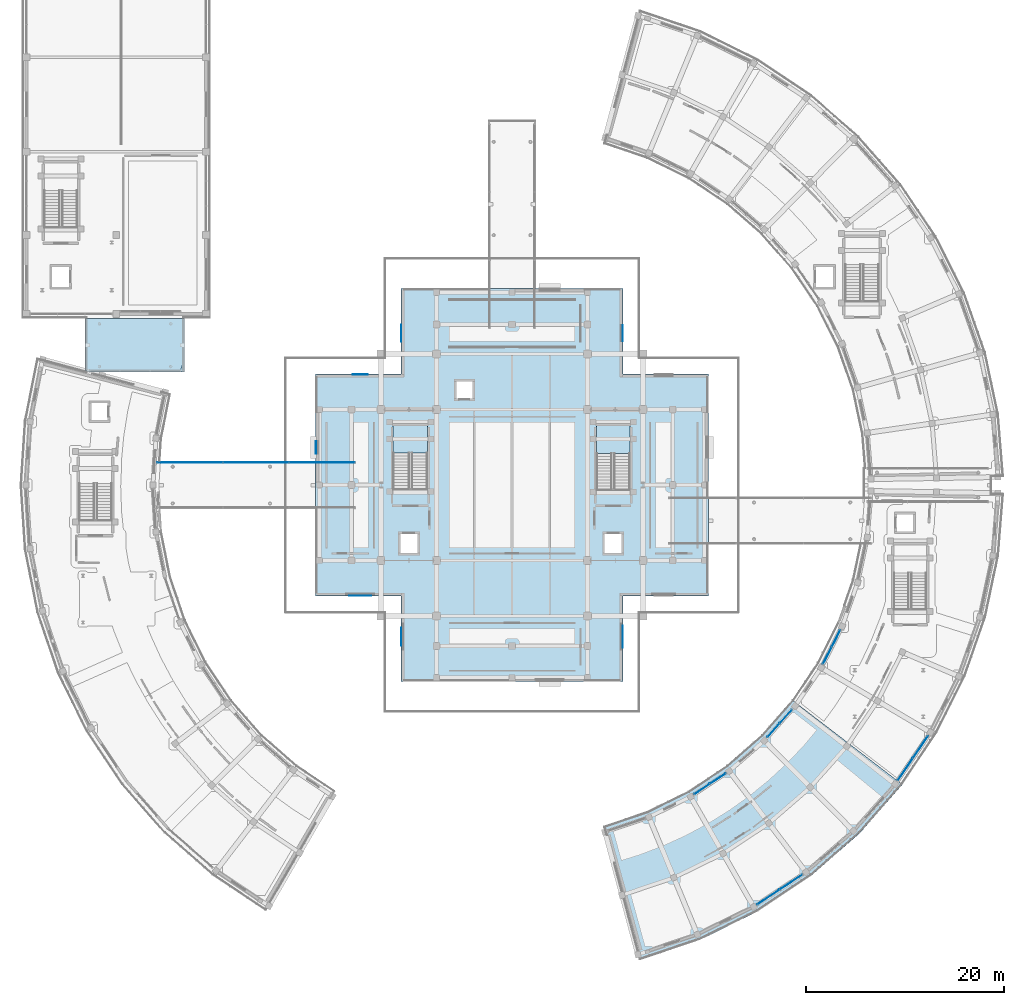
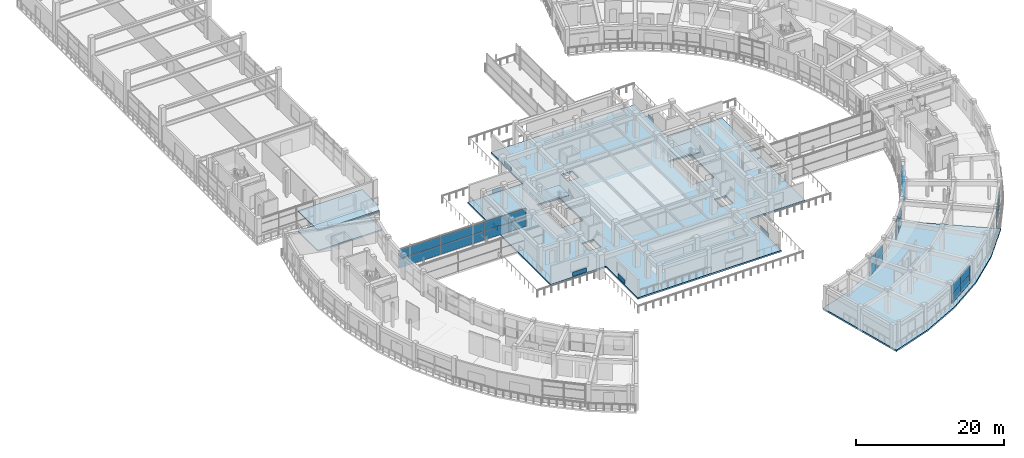
# One storey, part 39 of 72: 33 plates, 6 slabs, 8 elements without a shape of their own.
"""IFC4 building model written with IfcOpenShell, lengths in metres."""

from ifc_helpers import new_model, si_unit, direction, frame, origin, origin_2d, place, context, subcontext, project, spatial, polyline, rectangle, outline, extrude, material, layer, layer_set, type_object, element, aggregate, save


model = new_model("IFC4")

# Units and contexts
model_context = context("Model", 3, precision=1e-05, world=origin(), true_north=direction((0.0, 1.0)))
body_context = subcontext(model_context, "Body", "Model", "MODEL_VIEW")
ifc_project = project(units=[si_unit("LENGTHUNIT", "METRE"), si_unit("AREAUNIT", "SQUARE_METRE"), si_unit("VOLUMEUNIT", "CUBIC_METRE"), si_unit("PLANEANGLEUNIT", "RADIAN"), si_unit("MASSUNIT", "GRAM", prefix="KILO")], contexts=[model_context])

# Site, building, storey
site_placement = place(None, origin())
site = spatial("IfcSite", under=ifc_project, at=site_placement, CompositionType="ELEMENT")
building_placement = place(site_placement, origin())
building = spatial("IfcBuilding", under=site, at=building_placement, Name="Saryqyr Civic Hall", CompositionType="ELEMENT")
storey_placement = place(building_placement, frame((0.0, 0.0, 17.25)))
storey = spatial("IfcBuildingStorey", under=building, at=storey_placement, Name="L04", CompositionType="ELEMENT", Elevation=17.25)

# Curtain wall, plates
ifc_material_1 = material(Name="Anodised aluminium and triple low-E glass", Category="aluminium")
curtain_wall_type_1 = type_object("IfcCurtainWallType", Name="ENV-CW-STD-16", PredefinedType="NOTDEFINED", material=ifc_material_1)
curtain_wall_1_placement = place(storey_placement, origin())
curtain_wall_1 = element("IfcCurtainWall", 1, at=curtain_wall_1_placement, inside=storey, type_object=curtain_wall_type_1, Name="Curtain wall V5-CWO-L04-02", PredefinedType="NOTDEFINED")
ifc_material_2 = material(Name="Triple low-E insulated glazing", Category="glass")
ifc_layer_1 = layer(ifc_material_2, 0.053955078125, Name="Triple low-E insulated glazing")
ifc_layer_set_1 = layer_set([ifc_layer_1], Name="Triple low-E insulated glazing")
plate_type_1 = type_object("IfcPlateType", Name="ENV-CW-PNL-38", PredefinedType="CURTAIN_PANEL", material=ifc_layer_set_1)
plate_1_placement = place(storey_placement, frame((85.134033203125, 43.9833984375, 0.06005859375), z_axis=(0.0, 0.0, 1.0), x_axis=(-0.833756980548, -0.552131594266, 0.0)))
plate_1 = element("IfcPlate", 2, at=plate_1_placement, type_object=plate_type_1, Name="CW-16 panel 1.1", PredefinedType="CURTAIN_PANEL", context=body_context, shape_type="SweptSolid", body=[
    extrude(rectangle(XDim=2.66650390625, YDim=0.053955078125, at=origin_2d()), origin(), (0.0, 0.0, 1.0), 1.452880859375),
])
plate_2_placement = place(storey_placement, frame((85.134033203125, 43.9833984375, 1.5732421875), z_axis=(0.0, 0.0, 1.0), x_axis=(-0.833756980548, -0.552131594266, 0.0)))
plate_2 = element("IfcPlate", 3, at=plate_2_placement, type_object=plate_type_1, Name="CW-16 panel 1.2", PredefinedType="CURTAIN_PANEL", context=body_context, shape_type="SweptSolid", body=[
    extrude(rectangle(XDim=2.66650390625, YDim=0.053955078125, at=origin_2d()), origin(), (0.0, 0.0, 1.0), 1.451904296875),
])
plate_3_placement = place(storey_placement, frame((82.86083984375, 42.47802734375, 0.06005859375), z_axis=(0.0, 0.0, 1.0), x_axis=(-0.833756980548, -0.552131594266, 0.0)))
plate_3 = element("IfcPlate", 4, at=plate_3_placement, type_object=plate_type_1, Name="CW-16 panel 2.1", PredefinedType="CURTAIN_PANEL", context=body_context, shape_type="SweptSolid", body=[
    extrude(rectangle(XDim=2.66650390625, YDim=0.053955078125, at=origin_2d()), origin(), (0.0, 0.0, 1.0), 1.452880859375),
])
plate_4_placement = place(storey_placement, frame((82.86083984375, 42.47802734375, 1.5732421875), z_axis=(0.0, 0.0, 1.0), x_axis=(-0.833756980548, -0.552131594266, 0.0)))
plate_4 = element("IfcPlate", 5, at=plate_4_placement, type_object=plate_type_1, Name="CW-16 panel 2.2", PredefinedType="CURTAIN_PANEL", context=body_context, shape_type="SweptSolid", body=[
    extrude(rectangle(XDim=2.66650390625, YDim=0.053955078125, at=origin_2d()), origin(), (0.0, 0.0, 1.0), 1.451904296875),
])
aggregate(curtain_wall_1, [plate_1, plate_2, plate_3, plate_4])

curtain_wall_type_2 = type_object("IfcCurtainWallType", Name="ENV-CW-STD-17", PredefinedType="NOTDEFINED", material=ifc_material_1)
curtain_wall_2_placement = place(storey_placement, origin())
curtain_wall_2 = element("IfcCurtainWall", 6, at=curtain_wall_2_placement, inside=storey, type_object=curtain_wall_type_2, Name="Curtain wall V5-CWI-L04-02", PredefinedType="NOTDEFINED")
plate_5_placement = place(storey_placement, frame((76.15283203125, 53.356201171875, 0.06005859375), z_axis=(0.0, 0.0, 1.0), x_axis=(0.833756291383, 0.552132634953, 0.0)))
plate_5 = element("IfcPlate", 7, at=plate_5_placement, type_object=plate_type_1, Name="CW-17 panel 1.1", PredefinedType="CURTAIN_PANEL", context=body_context, shape_type="SweptSolid", body=[
    extrude(rectangle(XDim=1.83984375, YDim=0.053955078125, at=origin_2d()), origin(), (0.0, 0.0, 1.0), 1.452880859375),
])
plate_6_placement = place(storey_placement, frame((76.15283203125, 53.356201171875, 1.5732421875), z_axis=(0.0, 0.0, 1.0), x_axis=(0.833756291383, 0.552132634953, 0.0)))
plate_6 = element("IfcPlate", 8, at=plate_6_placement, type_object=plate_type_1, Name="CW-17 panel 1.2", PredefinedType="CURTAIN_PANEL", context=body_context, shape_type="SweptSolid", body=[
    extrude(rectangle(XDim=1.83984375, YDim=0.053955078125, at=origin_2d()), origin(), (0.0, 0.0, 1.0), 1.451904296875),
])
plate_7_placement = place(storey_placement, frame((77.737060546875, 54.405029296875, 0.06005859375), z_axis=(0.0, 0.0, 1.0), x_axis=(0.833756291383, 0.552132634953, 0.0)))
plate_7 = element("IfcPlate", 9, at=plate_7_placement, type_object=plate_type_1, Name="CW-17 panel 2.1", PredefinedType="CURTAIN_PANEL", context=body_context, shape_type="SweptSolid", body=[
    extrude(rectangle(XDim=1.83984375, YDim=0.053955078125, at=origin_2d()), origin(), (0.0, 0.0, 1.0), 1.452880859375),
])
plate_8_placement = place(storey_placement, frame((77.737060546875, 54.405029296875, 1.5732421875), z_axis=(0.0, 0.0, 1.0), x_axis=(0.833756291383, 0.552132634953, 0.0)))
plate_8 = element("IfcPlate", 10, at=plate_8_placement, type_object=plate_type_1, Name="CW-17 panel 2.2", PredefinedType="CURTAIN_PANEL", context=body_context, shape_type="SweptSolid", body=[
    extrude(rectangle(XDim=1.83984375, YDim=0.053955078125, at=origin_2d()), origin(), (0.0, 0.0, 1.0), 1.451904296875),
])
aggregate(curtain_wall_2, [plate_5, plate_6, plate_7, plate_8])

curtain_wall_type_3 = type_object("IfcCurtainWallType", Name="ENV-CW-STD-20", PredefinedType="NOTDEFINED", material=ifc_material_1)
curtain_wall_3_placement = place(storey_placement, origin())
curtain_wall_3 = element("IfcCurtainWall", 11, at=curtain_wall_3_placement, inside=storey, type_object=curtain_wall_type_3, Name="Curtain wall V5-CWI-L04-04", PredefinedType="NOTDEFINED")
plate_9_placement = place(storey_placement, frame((83.365478515625, 59.28759765625, 0.06005859375), z_axis=(0.0, 0.0, 1.0), x_axis=(0.664934070862, 0.7469020561, 0.0)))
plate_9 = element("IfcPlate", 12, at=plate_9_placement, type_object=plate_type_1, Name="CW-20 panel 1.1", PredefinedType="CURTAIN_PANEL", context=body_context, shape_type="SweptSolid", body=[
    extrude(rectangle(XDim=1.79248046875, YDim=0.053955078125, at=origin_2d()), origin(), (0.0, 0.0, 1.0), 1.452880859375),
])
plate_10_placement = place(storey_placement, frame((83.365478515625, 59.28759765625, 1.5732421875), z_axis=(0.0, 0.0, 1.0), x_axis=(0.664934070862, 0.7469020561, 0.0)))
plate_10 = element("IfcPlate", 13, at=plate_10_placement, type_object=plate_type_1, Name="CW-20 panel 1.2", PredefinedType="CURTAIN_PANEL", context=body_context, shape_type="SweptSolid", body=[
    extrude(rectangle(XDim=1.79248046875, YDim=0.053955078125, at=origin_2d()), origin(), (0.0, 0.0, 1.0), 1.451904296875),
])
plate_11_placement = place(storey_placement, frame((84.59716796875, 60.67138671875, 0.06005859375), z_axis=(0.0, 0.0, 1.0), x_axis=(0.664934070862, 0.7469020561, 0.0)))
plate_11 = element("IfcPlate", 14, at=plate_11_placement, type_object=plate_type_1, Name="CW-20 panel 2.1", PredefinedType="CURTAIN_PANEL", context=body_context, shape_type="SweptSolid", body=[
    extrude(rectangle(XDim=1.79248046875, YDim=0.053955078125, at=origin_2d()), origin(), (0.0, 0.0, 1.0), 1.452880859375),
])
plate_12_placement = place(storey_placement, frame((84.59716796875, 60.67138671875, 1.5732421875), z_axis=(0.0, 0.0, 1.0), x_axis=(0.664934070862, 0.7469020561, 0.0)))
plate_12 = element("IfcPlate", 15, at=plate_12_placement, type_object=plate_type_1, Name="CW-20 panel 2.2", PredefinedType="CURTAIN_PANEL", context=body_context, shape_type="SweptSolid", body=[
    extrude(rectangle(XDim=1.79248046875, YDim=0.053955078125, at=origin_2d()), origin(), (0.0, 0.0, 1.0), 1.451904296875),
])
aggregate(curtain_wall_3, [plate_9, plate_10, plate_11, plate_12])

curtain_wall_4_placement = place(storey_placement, origin())
curtain_wall_4 = element("IfcCurtainWall", 16, at=curtain_wall_4_placement, inside=storey, type_object=curtain_wall_type_1, Name="Curtain wall V5-CWO-L04-05", PredefinedType="NOTDEFINED")
plate_13_placement = place(storey_placement, frame((98.174072265625, 57.58935546875, 0.06005859375), z_axis=(0.0, 0.0, 1.0), x_axis=(-0.563117564, -0.826376796089, 0.0)))
plate_13 = element("IfcPlate", 17, at=plate_13_placement, type_object=plate_type_1, Name="CW-16 panel 1.1", PredefinedType="CURTAIN_PANEL", context=body_context, shape_type="SweptSolid", body=[
    extrude(rectangle(XDim=2.662841796875, YDim=0.053955078125, at=origin_2d()), origin(), (0.0, 0.0, 1.0), 1.452880859375),
])
plate_14_placement = place(storey_placement, frame((98.174072265625, 57.58935546875, 1.5732421875), z_axis=(0.0, 0.0, 1.0), x_axis=(-0.563117564, -0.826376796089, 0.0)))
plate_14 = element("IfcPlate", 18, at=plate_14_placement, type_object=plate_type_1, Name="CW-16 panel 1.2", PredefinedType="CURTAIN_PANEL", context=body_context, shape_type="SweptSolid", body=[
    extrude(rectangle(XDim=2.662841796875, YDim=0.053955078125, at=origin_2d()), origin(), (0.0, 0.0, 1.0), 1.451904296875),
])
plate_15_placement = place(storey_placement, frame((96.640869140625, 55.339111328125, 0.06005859375), z_axis=(0.0, 0.0, 1.0), x_axis=(-0.563117564, -0.826376796089, 0.0)))
plate_15 = element("IfcPlate", 19, at=plate_15_placement, type_object=plate_type_1, Name="CW-16 panel 2.1", PredefinedType="CURTAIN_PANEL", context=body_context, shape_type="SweptSolid", body=[
    extrude(rectangle(XDim=2.662841796875, YDim=0.053955078125, at=origin_2d()), origin(), (0.0, 0.0, 1.0), 1.452880859375),
])
plate_16_placement = place(storey_placement, frame((96.640869140625, 55.339111328125, 1.5732421875), z_axis=(0.0, 0.0, 1.0), x_axis=(-0.563117564, -0.826376796089, 0.0)))
plate_16 = element("IfcPlate", 20, at=plate_16_placement, type_object=plate_type_1, Name="CW-16 panel 2.2", PredefinedType="CURTAIN_PANEL", context=body_context, shape_type="SweptSolid", body=[
    extrude(rectangle(XDim=2.662841796875, YDim=0.053955078125, at=origin_2d()), origin(), (0.0, 0.0, 1.0), 1.451904296875),
])
aggregate(curtain_wall_4, [plate_13, plate_14, plate_15, plate_16])

curtain_wall_5_placement = place(storey_placement, origin())
curtain_wall_5 = element("IfcCurtainWall", 21, at=curtain_wall_5_placement, inside=storey, type_object=curtain_wall_type_2, Name="Curtain wall V5-CWI-L04-06", PredefinedType="NOTDEFINED")
plate_17_placement = place(storey_placement, frame((88.78955078125, 66.81494140625, 0.06005859375), z_axis=(0.0, 0.0, 1.0), x_axis=(0.451909750219, 0.892063662334, 0.0)))
plate_17 = element("IfcPlate", 22, at=plate_17_placement, type_object=plate_type_1, Name="CW-17 panel 1.1", PredefinedType="CURTAIN_PANEL", context=body_context, shape_type="SweptSolid", body=[
    extrude(rectangle(XDim=1.866455078125, YDim=0.053955078125, at=origin_2d()), origin(), (0.0, 0.0, 1.0), 1.452880859375),
])
plate_18_placement = place(storey_placement, frame((88.78955078125, 66.81494140625, 1.5732421875), z_axis=(0.0, 0.0, 1.0), x_axis=(0.451909750219, 0.892063662334, 0.0)))
plate_18 = element("IfcPlate", 23, at=plate_18_placement, type_object=plate_type_1, Name="CW-17 panel 1.2", PredefinedType="CURTAIN_PANEL", context=body_context, shape_type="SweptSolid", body=[
    extrude(rectangle(XDim=1.866455078125, YDim=0.053955078125, at=origin_2d()), origin(), (0.0, 0.0, 1.0), 1.451904296875),
])
plate_19_placement = place(storey_placement, frame((89.66015625, 68.533447265625, 0.06005859375), z_axis=(0.0, 0.0, 1.0), x_axis=(0.451909750219, 0.892063662334, 0.0)))
plate_19 = element("IfcPlate", 24, at=plate_19_placement, type_object=plate_type_1, Name="CW-17 panel 2.1", PredefinedType="CURTAIN_PANEL", context=body_context, shape_type="SweptSolid", body=[
    extrude(rectangle(XDim=1.866455078125, YDim=0.053955078125, at=origin_2d()), origin(), (0.0, 0.0, 1.0), 1.452880859375),
])
plate_20_placement = place(storey_placement, frame((89.66015625, 68.533447265625, 1.5732421875), z_axis=(0.0, 0.0, 1.0), x_axis=(0.451909750219, 0.892063662334, 0.0)))
plate_20 = element("IfcPlate", 25, at=plate_20_placement, type_object=plate_type_1, Name="CW-17 panel 2.2", PredefinedType="CURTAIN_PANEL", context=body_context, shape_type="SweptSolid", body=[
    extrude(rectangle(XDim=1.866455078125, YDim=0.053955078125, at=origin_2d()), origin(), (0.0, 0.0, 1.0), 1.451904296875),
])
aggregate(curtain_wall_5, [plate_17, plate_18, plate_19, plate_20])

curtain_wall_type_4 = type_object("IfcCurtainWallType", Name="ENV-CW-STD-86", PredefinedType="NOTDEFINED", material=ifc_material_1)
curtain_wall_6_placement = place(storey_placement, origin())
curtain_wall_6 = element("IfcCurtainWall", 26, at=curtain_wall_6_placement, inside=storey, type_object=curtain_wall_type_4, Name="Curtain wall BR-CW-CW2-L04", PredefinedType="NOTDEFINED")
plate_21_placement = place(storey_placement, frame((24.54833984375, 86.280029296875, 0.06005859375), z_axis=(0.0, 0.0, 1.0), x_axis=(1.0, 0.0, 0.0)))
plate_21 = element("IfcPlate", 27, at=plate_21_placement, type_object=plate_type_1, Name="CW-86 panel 1.1", PredefinedType="CURTAIN_PANEL", context=body_context, shape_type="SweptSolid", body=[
    extrude(rectangle(XDim=6.57666015625, YDim=0.053955078125, at=origin_2d()), origin(), (0.0, 0.0, 1.0), 1.452880859375),
])
plate_22_placement = place(storey_placement, frame((24.54833984375, 86.280029296875, 1.5732421875), z_axis=(0.0, 0.0, 1.0), x_axis=(1.0, 0.0, 0.0)))
plate_22 = element("IfcPlate", 28, at=plate_22_placement, type_object=plate_type_1, Name="CW-86 panel 1.2", PredefinedType="CURTAIN_PANEL", context=body_context, shape_type="SweptSolid", body=[
    extrude(rectangle(XDim=6.57666015625, YDim=0.053955078125, at=origin_2d()), origin(), (0.0, 0.0, 1.0), 1.451904296875),
])
plate_23_placement = place(storey_placement, frame((31.199951171875, 86.280029296875, 0.06005859375), z_axis=(0.0, 0.0, 1.0), x_axis=(1.0, 0.0, 0.0)))
plate_23 = element("IfcPlate", 29, at=plate_23_placement, type_object=plate_type_1, Name="CW-86 panel 2.1", PredefinedType="CURTAIN_PANEL", context=body_context, shape_type="SweptSolid", body=[
    extrude(rectangle(XDim=6.606689453125, YDim=0.053955078125, at=origin_2d()), origin(), (0.0, 0.0, 1.0), 1.452880859375),
])
plate_24_placement = place(storey_placement, frame((31.199951171875, 86.280029296875, 1.5732421875), z_axis=(0.0, 0.0, 1.0), x_axis=(1.0, 0.0, 0.0)))
plate_24 = element("IfcPlate", 30, at=plate_24_placement, type_object=plate_type_1, Name="CW-86 panel 2.2", PredefinedType="CURTAIN_PANEL", context=body_context, shape_type="SweptSolid", body=[
    extrude(rectangle(XDim=6.606689453125, YDim=0.053955078125, at=origin_2d()), origin(), (0.0, 0.0, 1.0), 1.451904296875),
])
plate_25_placement = place(storey_placement, frame((37.8515625, 86.280029296875, 0.06005859375), z_axis=(0.0, 0.0, 1.0), x_axis=(1.0, 0.0, 0.0)))
plate_25 = element("IfcPlate", 31, at=plate_25_placement, type_object=plate_type_1, Name="CW-86 panel 3.1", PredefinedType="CURTAIN_PANEL", context=body_context, shape_type="SweptSolid", body=[
    extrude(rectangle(XDim=6.57666015625, YDim=0.053955078125, at=origin_2d()), origin(), (0.0, 0.0, 1.0), 1.452880859375),
])
plate_26_placement = place(storey_placement, frame((37.8515625, 86.280029296875, 1.5732421875), z_axis=(0.0, 0.0, 1.0), x_axis=(1.0, 0.0, 0.0)))
plate_26 = element("IfcPlate", 32, at=plate_26_placement, type_object=plate_type_1, Name="CW-86 panel 3.2", PredefinedType="CURTAIN_PANEL", context=body_context, shape_type="SweptSolid", body=[
    extrude(rectangle(XDim=6.57666015625, YDim=0.053955078125, at=origin_2d()), origin(), (0.0, 0.0, 1.0), 1.451904296875),
])
aggregate(curtain_wall_6, [plate_21, plate_22, plate_23, plate_24, plate_25, plate_26])

# Plates
ifc_material_3 = material(Name="Warm brushed brass-anodised aluminium", Category="aluminium")
ifc_layer_2 = layer(ifc_material_3, 0.008056640625, Name="Warm brushed brass-anodised aluminium")
ifc_layer_set_2 = layer_set([ifc_layer_2], Name="Warm brushed brass-anodised aluminium")
plate_type_2 = type_object("IfcPlateType", Name="ENV-PLT-BRASS-1", PredefinedType="SHEET", material=ifc_layer_set_2)
plate_27_placement = place(storey_placement, frame((45.85302734375, 68.699951171875, 0.080078125), z_axis=(0.0, 0.0, 1.0), x_axis=(0.0, 1.0, 0.0)))
element("IfcPlate", 33, at=plate_27_placement, inside=storey, type_object=plate_type_2, Name="Warm brass spandrel cladding sheet L04-00", PredefinedType="SHEET", context=body_context, shape_type="SweptSolid", body=[
    extrude(rectangle(XDim=1.800048828125, YDim=0.008056640625, at=origin_2d()), origin(), (0.0, 0.0, 1.0), 0.679931640625),
])
plate_28_placement = place(storey_placement, frame((41.699951171875, 95.14697265625, 0.080078125), z_axis=(0.0, 0.0, 1.0), x_axis=(1.0, 0.0, 0.0)))
element("IfcPlate", 34, at=plate_28_placement, inside=storey, type_object=plate_type_2, Name="Warm brass spandrel cladding sheet L04-03", PredefinedType="SHEET", context=body_context, shape_type="SweptSolid", body=[
    extrude(rectangle(XDim=1.5, YDim=0.008056640625, at=origin_2d()), origin(), (0.0, 0.0, 1.0), 0.679931640625),
])
plate_29_placement = place(storey_placement, frame((68.14697265625, 99.300048828125, 0.080078125), z_axis=(0.0, 0.0, 1.0), x_axis=(0.0, -1.0, 0.0)))
element("IfcPlate", 35, at=plate_29_placement, inside=storey, type_object=plate_type_2, Name="Warm brass spandrel cladding sheet L04-06", PredefinedType="SHEET", context=body_context, shape_type="SweptSolid", body=[
    extrude(rectangle(XDim=1.60009765625, YDim=0.008056640625, at=origin_2d()), origin(), (0.0, 0.0, 1.0), 0.679931640625),
])
ifc_layer_3 = layer(ifc_material_3, 0.02001953125, Name="Warm brushed brass-anodised aluminium")
ifc_layer_set_3 = layer_set([ifc_layer_3], Name="Warm brushed brass-anodised aluminium")
plate_type_3 = type_object("IfcPlateType", Name="ENV-PLT-BRASS-2", PredefinedType="SHEET", material=ifc_layer_set_3)
plate_30_placement = place(storey_placement, frame((41.699951171875, 72.846923828125, 0.080078125), z_axis=(0.0, 0.0, 1.0), x_axis=(-1.0, 0.0, 0.0)))
element("IfcPlate", 36, at=plate_30_placement, inside=storey, type_object=plate_type_3, Name="Warm brass spandrel cladding sheet L04-01", PredefinedType="SHEET", context=body_context, shape_type="SweptSolid", body=[
    extrude(rectangle(XDim=2.199951171875, YDim=0.02001953125, at=origin_2d()), origin(), (0.0, 0.0, 1.0), 0.679931640625),
])
plate_31_placement = place(storey_placement, frame((45.846923828125, 99.300048828125, 0.080078125), z_axis=(0.0, 0.0, 1.0), x_axis=(0.0, 1.0, 0.0)))
element("IfcPlate", 37, at=plate_31_placement, inside=storey, type_object=plate_type_3, Name="Warm brass spandrel cladding sheet L04-04", PredefinedType="SHEET", context=body_context, shape_type="SweptSolid", body=[
    extrude(rectangle(XDim=1.75, YDim=0.02001953125, at=origin_2d()), origin(), (0.0, 0.0, 1.0), 0.679931640625),
])
plate_32_placement = place(storey_placement, frame((68.153076171875, 68.699951171875, 0.080078125), z_axis=(0.0, 0.0, 1.0), x_axis=(0.0, -1.0, 0.0)))
element("IfcPlate", 38, at=plate_32_placement, inside=storey, type_object=plate_type_3, Name="Warm brass spandrel cladding sheet L04-10", PredefinedType="SHEET", context=body_context, shape_type="SweptSolid", body=[
    extrude(rectangle(XDim=2.199951171875, YDim=0.02001953125, at=origin_2d()), origin(), (0.0, 0.0, 1.0), 0.679931640625),
])
ifc_layer_4 = layer(ifc_material_3, 0.031982421875, Name="Warm brushed brass-anodised aluminium")
ifc_layer_set_4 = layer_set([ifc_layer_4], Name="Warm brushed brass-anodised aluminium")
plate_type_4 = type_object("IfcPlateType", Name="ENV-PLT-BRASS-3", PredefinedType="SHEET", material=ifc_layer_set_4)
plate_33_placement = place(storey_placement, frame((37.240966796875, 87.800048828125, 0.080078125), z_axis=(0.0, 0.0, 1.0), x_axis=(0.0, 1.0, 0.0)))
element("IfcPlate", 39, at=plate_33_placement, inside=storey, type_object=plate_type_4, Name="Warm brass spandrel cladding sheet L04-02", PredefinedType="SHEET", context=body_context, shape_type="SweptSolid", body=[
    extrude(rectangle(XDim=1.25, YDim=0.031982421875, at=origin_2d()), origin(), (0.0, 0.0, 1.0), 0.679931640625),
])

# Slabs
ifc_material_4 = material(Name="Concrete C35/45", Category="concrete")
ifc_layer_5 = layer(ifc_material_4, 0.22998046875, Name="Concrete C35/45")
ifc_layer_set_5 = layer_set([ifc_layer_5], Name="Concrete C35/45")
slab_type_1 = type_object("IfcSlabType", Name="STR-SLB-FLR-230", PredefinedType="FLOOR", material=ifc_layer_set_5)
slab_1_placement = place(storey_placement, frame((0.0, 0.0, -0.22998046875)))
element("IfcSlab", 40, at=slab_1_placement, inside=storey, type_object=slab_type_1, Name="Slab SLB-BR-NW-L04", PredefinedType="FLOOR", context=body_context, shape_type="SweptSolid", body=[
    extrude(outline(polyline([(24.0, 95.39990234375), (14.45458984375, 95.39990234375), (14.0, 95.521728515625), (14.0, 100.800048828125), (24.0, 100.800048828125), (24.0, 95.39990234375)])), origin(), (0.0, 0.0, 1.0), 0.22998046875),
])
ifc_layer_6 = layer(ifc_material_4, 0.260009765625, Name="Concrete C35/45")
ifc_layer_set_6 = layer_set([ifc_layer_6], Name="Concrete C35/45")
slab_type_2 = type_object("IfcSlabType", Name="STR-SLB-FLR-260", PredefinedType="FLOOR", material=ifc_layer_set_6)
slab_2_placement = place(storey_placement, frame((0.0, 0.0, -0.260009765625)))
element("IfcSlab", 41, at=slab_2_placement, inside=storey, type_object=slab_type_2, Name="Slab SLB-V1-L04", PredefinedType="FLOOR", context=body_context, shape_type="SweptSolid", body=[
    extrude(outline(polyline([(45.800048828125, 72.800048828125), (37.199951171875, 72.800048828125), (37.199951171875, 95.199951171875), (45.800048828125, 95.199951171875), (45.800048828125, 103.800048828125), (68.199951171875, 103.800048828125), (68.199951171875, 95.199951171875), (76.800048828125, 95.199951171875), (76.800048828125, 72.800048828125), (68.199951171875, 72.800048828125), (68.199951171875, 64.199951171875), (45.800048828125, 64.199951171875), (45.800048828125, 72.800048828125)]), holes=[polyline([(47.5, 79.10009765625), (45.699951171875, 79.10009765625), (45.699951171875, 77.10009765625), (47.5, 77.10009765625), (47.5, 79.10009765625)]), polyline([(48.5, 90.0), (45.0, 90.0), (45.0, 83.64990234375), (48.5, 83.64990234375), (48.5, 90.0)]), polyline([(53.050048828125, 92.699951171875), (53.050048828125, 94.5), (51.35009765625, 94.5), (51.35009765625, 92.699951171875), (53.050048828125, 92.699951171875)]), polyline([(68.10009765625, 77.10009765625), (68.10009765625, 79.10009765625), (66.300048828125, 79.10009765625), (66.300048828125, 77.10009765625), (68.10009765625, 77.10009765625)]), polyline([(68.89990234375, 90.0), (65.5, 90.0), (65.5, 83.60009765625), (68.89990234375, 83.60009765625), (68.89990234375, 90.0)])]), origin(), (0.0, 0.0, 1.0), 0.260009765625),
])
slab_3_placement = place(storey_placement, frame((0.0, 0.0, -0.260009765625)))
element("IfcSlab", 42, at=slab_3_placement, inside=storey, type_object=slab_type_2, Name="Slab SLB-V5A-L04", PredefinedType="FLOOR", context=body_context, shape_type="SweptSolid", body=[
    extrude(outline(polyline([(70.62353515625, 51.10986328125), (74.800048828125, 53.16943359375), (78.671875, 55.756591796875), (82.173095703125, 58.826904296875), (85.243408203125, 62.328125), (96.350341796875, 53.805419921875), (92.072509765625, 48.927490234375), (87.194580078125, 44.649658203125), (81.800048828125, 41.045166015625), (75.981201171875, 38.175537109375), (69.83740234375, 36.090087890625), (66.214111328125, 49.613037109375), (70.62353515625, 51.10986328125)])), origin(), (0.0, 0.0, 1.0), 0.260009765625),
])

# Stair, slab
stair_type_1 = type_object("IfcStairType", Name="INT-STR-ST-1", PredefinedType="HALF_TURN_STAIR", material=ifc_material_4)
stair_1_placement = place(storey_placement, origin())
stair_1 = element("IfcStair", 43, at=stair_1_placement, inside=storey, type_object=stair_type_1, Name="L04 Protected Exit Stair ST-1", PredefinedType="HALF_TURN_STAIR")
ifc_layer_7 = layer(ifc_material_4, 0.199951171875, Name="Concrete C35/45")
ifc_layer_set_7 = layer_set([ifc_layer_7], Name="Concrete C35/45")
slab_type_3 = type_object("IfcSlabType", Name="STR-SLB-LND-200", PredefinedType="LANDING", material=ifc_layer_set_7)
slab_4_placement = place(storey_placement, frame((0.0, 0.0, 1.824951171875)))
slab_4 = element("IfcSlab", 44, at=slab_4_placement, type_object=slab_type_3, Name="ST-1 landing 1", PredefinedType="LANDING", context=body_context, shape_type="SweptSolid", body=[
    extrude(outline(polyline([(48.5, 87.25), (48.5, 90.0), (45.0, 90.0), (45.0, 87.25), (48.5, 87.25)])), origin(), (0.0, 0.0, 1.0), 0.199951171875),
])
aggregate(stair_1, [slab_4])

stair_type_2 = type_object("IfcStairType", Name="INT-STR-ST-2", PredefinedType="HALF_TURN_STAIR", material=ifc_material_4)
stair_2_placement = place(storey_placement, origin())
stair_2 = element("IfcStair", 45, at=stair_2_placement, inside=storey, type_object=stair_type_2, Name="L04 Protected Exit Stair ST-2", PredefinedType="HALF_TURN_STAIR")
slab_5_placement = place(storey_placement, frame((0.0, 0.0, 1.824951171875)))
slab_5 = element("IfcSlab", 46, at=slab_5_placement, type_object=slab_type_3, Name="ST-2 landing 1", PredefinedType="LANDING", context=body_context, shape_type="SweptSolid", body=[
    extrude(outline(polyline([(68.89990234375, 87.199951171875), (68.89990234375, 90.0), (65.5, 90.0), (65.5, 87.199951171875), (68.89990234375, 87.199951171875)])), origin(), (0.0, 0.0, 1.0), 0.199951171875),
])
aggregate(stair_2, [slab_5])

# Slab
ifc_layer_8 = layer(ifc_material_4, 0.2099609375, Name="Concrete C35/45")
ifc_layer_set_8 = layer_set([ifc_layer_8], Name="Concrete C35/45")
slab_type_4 = type_object("IfcSlabType", Name="STR-SLB-ROOF-210", PredefinedType="ROOF", material=ifc_layer_set_8)
slab_6_placement = place(storey_placement, frame((0.0, 0.0, 3.10009765625)))
element("IfcSlab", 47, at=slab_6_placement, inside=storey, type_object=slab_type_4, Name="Slab SLB-BR-NW-ROOF", PredefinedType="ROOF", context=body_context, shape_type="SweptSolid", body=[
    extrude(outline(polyline([(24.0, 96.802978515625), (23.523681640625, 95.39990234375), (14.454833984375, 95.39990234375), (14.0, 95.52197265625), (14.0, 100.800048828125), (24.0, 100.800048828125), (24.0, 96.802978515625)])), origin(), (0.0, 0.0, 1.0), 0.2099609375),
])

save(model, "model.ifc")
